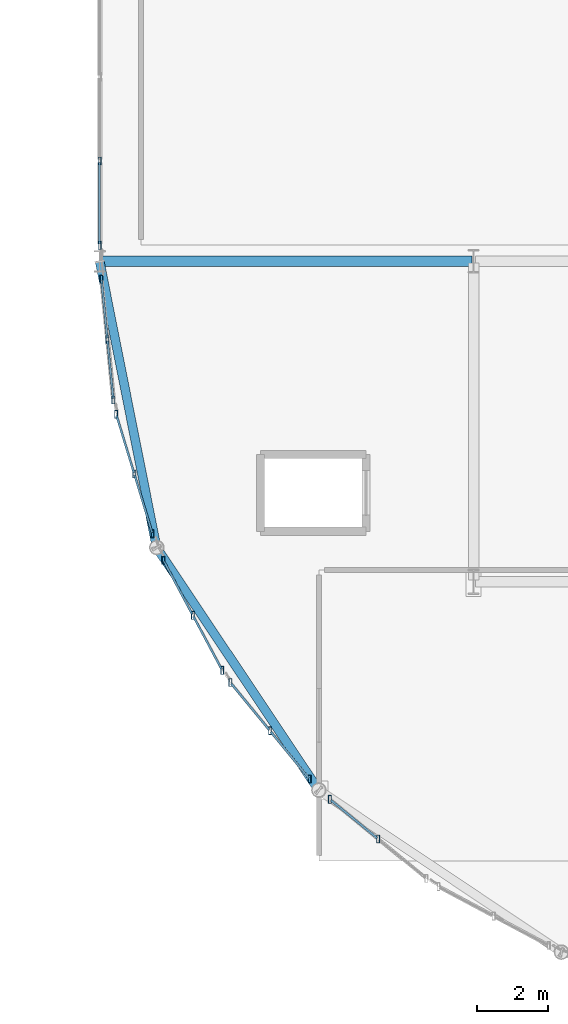
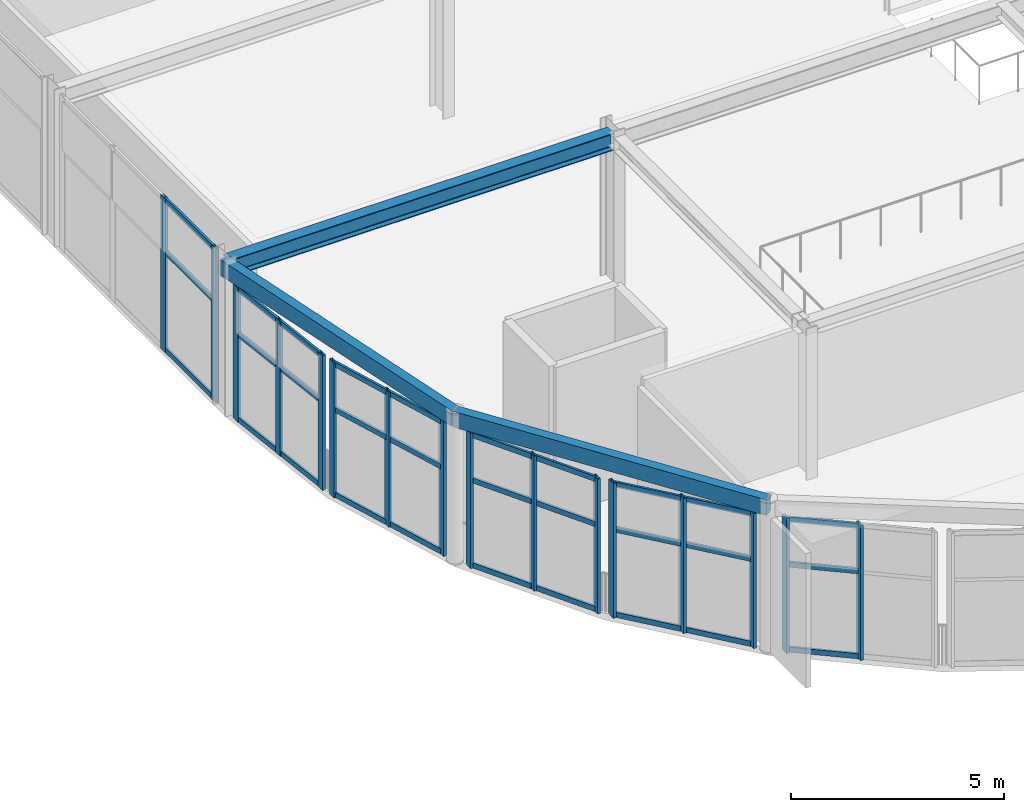
# One storey, part 15 of 105: 46 members, 3 beams, 6 elements without a shape of their own.
"""IFC4 building model written with IfcOpenShell, lengths in metres."""

import ifcopenshell
import ifcopenshell.guid

model = None  # the IFC model being written
_history = None  # IfcOwnerHistory: only IFC2X3 demands one
_inside = {}  # id of a spatial element -> (the spatial element, [elements in it])
_under = {}  # id of a project, library or spatial element -> (it, [spatial elements below it])
_declared = {}  # id of a project -> (the project, [libraries it declares])
_typed = {}  # id of a type object -> (the type object, [elements of that type])
_made_of = {}  # id of a material, layer set ... -> (it, [elements and type objects made of it])


def new_model(schema):
    """Start an empty IFC model of exactly this schema.

    Asked for "IFC4X3", IfcOpenShell would pick the latest addendum, in which some entities
    have other attributes; the version numbers below select the first issue.
    IFC2X3 requires an IfcOwnerHistory on every rooted entity: one is made here for all.
    """
    global model, _history
    if schema == "IFC4X3":
        model = ifcopenshell.file(schema_version=(4, 3, 0, 0))
    else:
        model = ifcopenshell.file(schema=schema)
    _inside.clear()
    _under.clear()
    _declared.clear()
    _typed.clear()
    _made_of.clear()
    _history = None
    if model.schema == "IFC2X3":
        org = make("IfcOrganization", Name="unknown")
        user = make(
            "IfcPersonAndOrganization",
            ThePerson=make("IfcPerson", FamilyName="unknown"),
            TheOrganization=org,
        )
        app = make(
            "IfcApplication",
            ApplicationDeveloper=org,
            Version="unknown",
            ApplicationFullName="unknown",
            ApplicationIdentifier="unknown",
        )
        _history = make(
            "IfcOwnerHistory",
            OwningUser=user,
            OwningApplication=app,
            ChangeAction="ADDED",
            CreationDate=0,
        )
    return model


def make(cls, **values):
    """One entity of the class cls with the attributes given. An attribute that is None is left unset."""
    return model.create_entity(
        cls, **{name: value for name, value in values.items() if value is not None}
    )


def rooted(cls, **values):
    """An entity with a GlobalId (a new one), such as an element, a storey or a relation."""
    return make(cls, GlobalId=ifcopenshell.guid.new(), OwnerHistory=_history, **values)


def si_unit(unit_type, name, prefix=None):
    """IfcSIUnit, for example si_unit("LENGTHUNIT", "METRE", prefix="MILLI")."""
    return make("IfcSIUnit", UnitType=unit_type, Prefix=prefix, Name=name)


def assignment(units):
    """IfcUnitAssignment: the units of a project."""
    return None if units is None else make("IfcUnitAssignment", Units=units)


def point(xyz):
    """IfcCartesianPoint."""
    return None if xyz is None else make("IfcCartesianPoint", Coordinates=xyz)


def direction(xyz):
    """IfcDirection."""
    return None if xyz is None else make("IfcDirection", DirectionRatios=xyz)


def frame(location, z_axis=None, x_axis=None):
    """IfcAxis2Placement3D, a coordinate frame: its origin and axes. An axis left out is left unset."""
    return make(
        "IfcAxis2Placement3D",
        Location=point(location),
        Axis=direction(z_axis),
        RefDirection=direction(x_axis),
    )


def frame_2d(location, x_axis=None):
    """IfcAxis2Placement2D, a coordinate frame in the plane: its origin and x axis."""
    return make(
        "IfcAxis2Placement2D", Location=point(location), RefDirection=direction(x_axis)
    )


def origin():
    """The frame at (0, 0, 0) with its axes left unset."""
    return frame((0.0, 0.0, 0.0))


def origin_2d():
    """The frame at (0, 0) in the plane with its x axis left unset."""
    return frame_2d((0.0, 0.0))


def place(relative_to, where):
    """IfcLocalPlacement: puts the frame where relative to a parent placement (None: the world)."""
    return make(
        "IfcLocalPlacement", PlacementRelTo=relative_to, RelativePlacement=where
    )


def context(
    kind, dimensions, precision=None, world=None, true_north=None, identifier=None
):
    """IfcGeometricRepresentationContext, for example the 3D "Model" context."""
    return make(
        "IfcGeometricRepresentationContext",
        ContextIdentifier=identifier,
        ContextType=kind,
        CoordinateSpaceDimension=dimensions,
        Precision=precision,
        WorldCoordinateSystem=world,
        TrueNorth=true_north,
    )


def subcontext(parent, identifier, kind, view, scale=None):
    """IfcGeometricRepresentationSubContext, for example "Body" below "Model"."""
    return make(
        "IfcGeometricRepresentationSubContext",
        ContextIdentifier=identifier,
        ContextType=kind,
        ParentContext=parent,
        TargetScale=scale,
        TargetView=view,
    )


def project(units=None, contexts=None):
    """IfcProject with its units and contexts."""
    return rooted(
        "IfcProject",
        Name="project",
        RepresentationContexts=contexts,
        UnitsInContext=assignment(units),
    )


def spatial(cls, under=None, at=None, **own):
    """A site, building, storey or space (cls), placed at a placement, below another one or the project."""
    s = rooted(cls, ObjectPlacement=at, **own)
    if under is not None:
        _under.setdefault(under.id(), (under, []))[1].append(s)
    return s


def profile(cls, at=None, kind="AREA", **sizes):
    """A parametric profile (cls). Its sizes go by their IFC names, for example OverallWidth=200.0."""
    return make(cls, ProfileType=kind, Position=at, **sizes)


def hollow_rectangle(**sizes):
    """IfcRectangleHollowProfileDef."""
    return profile("IfcRectangleHollowProfileDef", **sizes)


def i_section(**sizes):
    """IfcIShapeProfileDef."""
    return profile("IfcIShapeProfileDef", **sizes)


def extrude(swept, where, along, depth):
    """IfcExtrudedAreaSolid: the profile swept, set in the frame where, extruded along a direction by depth."""
    return make(
        "IfcExtrudedAreaSolid",
        SweptArea=swept,
        Position=where,
        ExtrudedDirection=direction(along),
        Depth=depth,
    )


def shape(context_of_items, identifier, shape_type, items):
    """IfcShapeRepresentation: the items that make up one representation, for example the "Body"."""
    return make(
        "IfcShapeRepresentation",
        ContextOfItems=context_of_items,
        RepresentationIdentifier=identifier,
        RepresentationType=shape_type,
        Items=items,
    )


def material(Name=None, Category=None):
    """IfcMaterial."""
    return make("IfcMaterial", Name=Name, Category=Category)


def layer(
    of_material, thickness, ventilated=None, Name=None, Category=None, Priority=None
):
    """IfcMaterialLayer: one layer of a wall or slab, of a material (None: an air gap)."""
    return make(
        "IfcMaterialLayer",
        Material=of_material,
        LayerThickness=thickness,
        IsVentilated=ventilated,
        Name=Name,
        Category=Category,
        Priority=Priority,
    )


def layer_set(layers, Name=None):
    """IfcMaterialLayerSet."""
    return make("IfcMaterialLayerSet", MaterialLayers=layers, LayerSetName=Name)


def material_profile(
    of_material, cross_section, Name=None, Category=None, Priority=None
):
    """IfcMaterialProfile: a cross section and its material."""
    return make(
        "IfcMaterialProfile",
        Name=Name,
        Material=of_material,
        Profile=cross_section,
        Priority=Priority,
        Category=Category,
    )


def profile_set(profiles, Name=None, composite=None):
    """IfcMaterialProfileSet."""
    return make(
        "IfcMaterialProfileSet",
        Name=Name,
        MaterialProfiles=profiles,
        CompositeProfile=composite,
    )


def made_of(thing, what):
    """Note that an element or type object is made of a material, layer set ...; save() writes the relation."""
    if what is not None:
        _made_of.setdefault(what.id(), (what, []))[1].append(thing)
    return thing


def type_object(cls, material=None, **own):
    """A type object (cls), such as IfcWallType, which elements share."""
    return made_of(rooted(cls, **own), material)


def element(
    cls,
    number,
    at=None,
    inside=None,
    cuts=None,
    type_object=None,
    material=None,
    context=None,
    identifier="Body",
    shape_type=None,
    held_by="IfcProductDefinitionShape",
    body=None,
    shapes=None,
    **own,
):
    """One element of the class cls, such as IfcWall. Its Tag is "e" and its number.

    at: its placement. inside: the storey or other place that contains it. cuts: it is an
    opening in that element (IfcRelVoidsElement). A single representation is given by context,
    identifier, shape_type and body (its items); several are given by shapes. held_by: the class
    of the entity that holds the representations. save() writes the other relations.
    """
    e = rooted(cls, Tag="e%d" % number, ObjectPlacement=at, **own)
    if body is not None:
        shapes = [shape(context, identifier, shape_type, body)]
    if shapes is not None:
        e.Representation = make(held_by, Representations=shapes)
    if inside is not None:
        _inside.setdefault(inside.id(), (inside, []))[1].append(e)
    if cuts is not None:
        rooted(
            "IfcRelVoidsElement", RelatingBuildingElement=cuts, RelatedOpeningElement=e
        )
    if type_object is not None:
        _typed.setdefault(type_object.id(), (type_object, []))[1].append(e)
    return made_of(e, material)


def aggregate(whole, parts):
    """IfcRelAggregates: a whole, such as a stair, and the parts it consists of."""
    return rooted("IfcRelAggregates", RelatingObject=whole, RelatedObjects=parts)


def save(model, path):
    """Write the relations noted so far, then the file.

    IfcRelAggregates (storeys below a building ...), IfcRelContainedInSpatialStructure (elements
    in a storey), IfcRelDefinesByType, IfcRelAssociatesMaterial and IfcRelDeclares: one each for
    every whole, place, type object, material and project.
    """
    for whole, parts in _under.values():
        aggregate(whole, parts)
    for where, things in _inside.values():
        rooted(
            "IfcRelContainedInSpatialStructure",
            RelatedElements=things,
            RelatingStructure=where,
        )
    for kind, things in _typed.values():
        rooted("IfcRelDefinesByType", RelatedObjects=things, RelatingType=kind)
    for what, things in _made_of.values():
        rooted("IfcRelAssociatesMaterial", RelatedObjects=things, RelatingMaterial=what)
    for by, libraries in _declared.values():
        rooted("IfcRelDeclares", RelatingContext=by, RelatedDefinitions=libraries)
    model.write(path)


model = new_model("IFC4")

# Units and contexts
model_context = context("Model", 3, precision=1e-05, world=origin(), true_north=direction((0.0, 1.0)))
body_context = subcontext(model_context, "Body", "Model", "MODEL_VIEW")
ifc_project = project(units=[si_unit("LENGTHUNIT", "METRE"), si_unit("AREAUNIT", "SQUARE_METRE"), si_unit("VOLUMEUNIT", "CUBIC_METRE"), si_unit("PLANEANGLEUNIT", "RADIAN"), si_unit("MASSUNIT", "GRAM", prefix="KILO")], contexts=[model_context])

# Site, building, storey
site_placement = place(None, origin())
site = spatial("IfcSite", under=ifc_project, at=site_placement, CompositionType="ELEMENT")
building_placement = place(site_placement, origin())
building = spatial("IfcBuilding", under=site, at=building_placement, Name="Marlcrest Central Station", CompositionType="ELEMENT")
storey_placement = place(building_placement, frame((0.0, 0.0, 15.0)))
storey = spatial("IfcBuildingStorey", under=building, at=storey_placement, Name="L03", CompositionType="ELEMENT", Elevation=15.0)

# Beam
ifc_material_1 = material(Name="Steel S355", Category="steel")
ifc_material_profile_1 = material_profile(ifc_material_1, i_section(OverallWidth=0.300048828125, OverallDepth=0.489990234375, WebThickness=0.011962890625, FlangeThickness=0.02294921875, FilletRadius=0.027099609375, at=origin_2d()), Name="HEA 500")
ifc_profile_set_1 = profile_set([ifc_material_profile_1], Name="Steel S355")
beam_type_1 = type_object("IfcBeamType", Name="BM-10", PredefinedType="BEAM", material=ifc_profile_set_1)
beam_1_placement = place(storey_placement, frame((87.050048828125, 22.5, 4.074951171875), z_axis=(1.0, 0.0, 0.0), x_axis=(0.0, 1.0, 0.0)))
element("IfcBeam", 1, at=beam_1_placement, inside=storey, type_object=beam_type_1, Name="bm-BM-10-L03-01167", PredefinedType="BEAM", context=body_context, shape_type="SweptSolid", body=[
    extrude(i_section(OverallWidth=0.300048828125, OverallDepth=0.489990234375, WebThickness=0.011962890625, FlangeThickness=0.02294921875, FilletRadius=0.027099609375, at=origin_2d()), origin(), (0.0, 0.0, 1.0), 10.39990234375),
])

# Curtain wall, members
ifc_material_2 = material(Name="Anodised aluminium and hurricane laminated glass", Category="aluminium")
ifc_layer = layer(ifc_material_2, 0.219970703125, Name="CW-U1")
ifc_layer_set = layer_set([ifc_layer], Name="Anodised aluminium and hurricane laminated glass")
curtain_wall_type = type_object("IfcCurtainWallType", Name="CW-U1", PredefinedType="USERDEFINED", material=ifc_layer_set)
curtain_wall_1_placement = place(storey_placement, origin())
curtain_wall_1 = element("IfcCurtainWall", 2, at=curtain_wall_1_placement, inside=storey, type_object=curtain_wall_type, Name="cw-L03-0041", ObjectType="UNITISED_CURTAIN_WALL", PredefinedType="USERDEFINED")
ifc_material_3 = material(Name="Anodised aluminium 6063-T6", Category="aluminium")
ifc_material_profile_2 = material_profile(ifc_material_3, hollow_rectangle(XDim=0.080078125, YDim=0.219970703125, WallThickness=0.006103515625, at=origin_2d()), Name="AA-RHS 220x80x6")
ifc_profile_set_2 = profile_set([ifc_material_profile_2], Name="Anodised aluminium 6063-T6")
member_type_1 = type_object("IfcMemberType", Name="ML-01", PredefinedType="MULLION", material=ifc_profile_set_2)
member_1_placement = place(storey_placement, frame((87.3837890625, 18.60791015625, -0.030029296875), z_axis=(0.0, 0.0, 1.0), x_axis=(1.0, 0.0, 0.0)))
member_1 = element("IfcMember", 3, at=member_1_placement, type_object=member_type_1, Name="cw-L03-0041-ml-0", PredefinedType="MULLION", context=body_context, shape_type="SweptSolid", body=[
    extrude(hollow_rectangle(XDim=0.080078125, YDim=0.219970703125, WallThickness=0.006103515625, at=origin_2d()), origin(), (0.0, 0.0, 1.0), 3.860107421875),
])
member_2_placement = place(storey_placement, frame((87.216552734375, 20.3046875, -0.030029296875), z_axis=(0.0, 0.0, 1.0), x_axis=(1.0, 0.0, 0.0)))
member_2 = element("IfcMember", 4, at=member_2_placement, type_object=member_type_1, Name="cw-L03-0041-ml-1", PredefinedType="MULLION", context=body_context, shape_type="SweptSolid", body=[
    extrude(hollow_rectangle(XDim=0.080078125, YDim=0.219970703125, WallThickness=0.006103515625, at=origin_2d()), origin(), (0.0, 0.0, 1.0), 3.860107421875),
])
member_3_placement = place(storey_placement, frame((87.049072265625, 22.001708984375, -0.030029296875), z_axis=(0.0, 0.0, 1.0), x_axis=(1.0, 0.0, 0.0)))
member_3 = element("IfcMember", 5, at=member_3_placement, type_object=member_type_1, Name="cw-L03-0041-ml-2", PredefinedType="MULLION", context=body_context, shape_type="SweptSolid", body=[
    extrude(hollow_rectangle(XDim=0.080078125, YDim=0.219970703125, WallThickness=0.006103515625, at=origin_2d()), origin(), (0.0, 0.0, 1.0), 3.860107421875),
])

curtain_wall_2_placement = place(storey_placement, origin())
curtain_wall_2 = element("IfcCurtainWall", 6, at=curtain_wall_2_placement, inside=storey, type_object=curtain_wall_type, Name="cw-L03-0042", ObjectType="UNITISED_CURTAIN_WALL", PredefinedType="USERDEFINED")
member_4_placement = place(storey_placement, frame((88.481689453125, 14.8505859375, -0.030029296875), z_axis=(0.0, 0.0, 1.0), x_axis=(1.0, 0.0, 0.0)))
member_4 = element("IfcMember", 7, at=member_4_placement, type_object=member_type_1, Name="cw-L03-0042-ml-0", PredefinedType="MULLION", context=body_context, shape_type="SweptSolid", body=[
    extrude(hollow_rectangle(XDim=0.080078125, YDim=0.219970703125, WallThickness=0.006103515625, at=origin_2d()), origin(), (0.0, 0.0, 1.0), 3.860107421875),
])
member_5_placement = place(storey_placement, frame((87.97265625, 16.5283203125, -0.030029296875), z_axis=(0.0, 0.0, 1.0), x_axis=(1.0, 0.0, 0.0)))
member_5 = element("IfcMember", 8, at=member_5_placement, type_object=member_type_1, Name="cw-L03-0042-ml-1", PredefinedType="MULLION", context=body_context, shape_type="SweptSolid", body=[
    extrude(hollow_rectangle(XDim=0.080078125, YDim=0.219970703125, WallThickness=0.006103515625, at=origin_2d()), origin(), (0.0, 0.0, 1.0), 3.860107421875),
])
member_6_placement = place(storey_placement, frame((87.463623046875, 18.2060546875, -0.030029296875), z_axis=(0.0, 0.0, 1.0), x_axis=(1.0, 0.0, 0.0)))
member_6 = element("IfcMember", 9, at=member_6_placement, type_object=member_type_1, Name="cw-L03-0042-ml-2", PredefinedType="MULLION", context=body_context, shape_type="SweptSolid", body=[
    extrude(hollow_rectangle(XDim=0.080078125, YDim=0.219970703125, WallThickness=0.006103515625, at=origin_2d()), origin(), (0.0, 0.0, 1.0), 3.860107421875),
])

curtain_wall_3_placement = place(storey_placement, origin())
curtain_wall_3 = element("IfcCurtainWall", 10, at=curtain_wall_3_placement, inside=storey, type_object=curtain_wall_type, Name="cw-L03-0043", ObjectType="UNITISED_CURTAIN_WALL", PredefinedType="USERDEFINED")
member_7_placement = place(storey_placement, frame((90.44189453125, 11.014404296875, -0.030029296875), z_axis=(0.0, 0.0, 1.0), x_axis=(1.0, 0.0, 0.0)))
member_7 = element("IfcMember", 11, at=member_7_placement, type_object=member_type_1, Name="cw-L03-0043-ml-0", PredefinedType="MULLION", context=body_context, shape_type="SweptSolid", body=[
    extrude(hollow_rectangle(XDim=0.080078125, YDim=0.219970703125, WallThickness=0.006103515625, at=origin_2d()), origin(), (0.0, 0.0, 1.0), 3.860107421875),
])
member_8_placement = place(storey_placement, frame((89.61572265625, 12.56103515625, -0.030029296875), z_axis=(0.0, 0.0, 1.0), x_axis=(1.0, 0.0, 0.0)))
member_8 = element("IfcMember", 12, at=member_8_placement, type_object=member_type_1, Name="cw-L03-0043-ml-1", PredefinedType="MULLION", context=body_context, shape_type="SweptSolid", body=[
    extrude(hollow_rectangle(XDim=0.080078125, YDim=0.219970703125, WallThickness=0.006103515625, at=origin_2d()), origin(), (0.0, 0.0, 1.0), 3.860107421875),
])
member_9_placement = place(storey_placement, frame((88.789306640625, 14.107666015625, -0.030029296875), z_axis=(0.0, 0.0, 1.0), x_axis=(1.0, 0.0, 0.0)))
member_9 = element("IfcMember", 13, at=member_9_placement, type_object=member_type_1, Name="cw-L03-0043-ml-2", PredefinedType="MULLION", context=body_context, shape_type="SweptSolid", body=[
    extrude(hollow_rectangle(XDim=0.080078125, YDim=0.219970703125, WallThickness=0.006103515625, at=origin_2d()), origin(), (0.0, 0.0, 1.0), 3.860107421875),
])

curtain_wall_4_placement = place(storey_placement, origin())
curtain_wall_4 = element("IfcCurtainWall", 14, at=curtain_wall_4_placement, inside=storey, type_object=curtain_wall_type, Name="cw-L03-0044", ObjectType="UNITISED_CURTAIN_WALL", PredefinedType="USERDEFINED")
member_10_placement = place(storey_placement, frame((92.89453125, 7.96337890625, -0.030029296875), z_axis=(0.0, 0.0, 1.0), x_axis=(1.0, 0.0, 0.0)))
member_10 = element("IfcMember", 15, at=member_10_placement, type_object=member_type_1, Name="cw-L03-0044-ml-0", PredefinedType="MULLION", context=body_context, shape_type="SweptSolid", body=[
    extrude(hollow_rectangle(XDim=0.080078125, YDim=0.219970703125, WallThickness=0.006103515625, at=origin_2d()), origin(), (0.0, 0.0, 1.0), 3.860107421875),
])
member_11_placement = place(storey_placement, frame((91.781982421875, 9.318603515625, -0.030029296875), z_axis=(0.0, 0.0, 1.0), x_axis=(1.0, 0.0, 0.0)))
member_11 = element("IfcMember", 16, at=member_11_placement, type_object=member_type_1, Name="cw-L03-0044-ml-1", PredefinedType="MULLION", context=body_context, shape_type="SweptSolid", body=[
    extrude(hollow_rectangle(XDim=0.080078125, YDim=0.219970703125, WallThickness=0.006103515625, at=origin_2d()), origin(), (0.0, 0.0, 1.0), 3.860107421875),
])
member_12_placement = place(storey_placement, frame((90.669677734375, 10.673828125, -0.030029296875), z_axis=(0.0, 0.0, 1.0), x_axis=(1.0, 0.0, 0.0)))
member_12 = element("IfcMember", 17, at=member_12_placement, type_object=member_type_1, Name="cw-L03-0044-ml-2", PredefinedType="MULLION", context=body_context, shape_type="SweptSolid", body=[
    extrude(hollow_rectangle(XDim=0.080078125, YDim=0.219970703125, WallThickness=0.006103515625, at=origin_2d()), origin(), (0.0, 0.0, 1.0), 3.860107421875),
])

curtain_wall_5_placement = place(storey_placement, origin())
curtain_wall_5 = element("IfcCurtainWall", 18, at=curtain_wall_5_placement, inside=storey, type_object=curtain_wall_type, Name="cw-L03-0045", ObjectType="UNITISED_CURTAIN_WALL", PredefinedType="USERDEFINED")
member_13_placement = place(storey_placement, frame((94.818603515625, 6.281982421875, -0.030029296875), z_axis=(0.0, 0.0, 1.0), x_axis=(1.0, 0.0, 0.0)))
member_13 = element("IfcMember", 19, at=member_13_placement, type_object=member_type_1, Name="cw-L03-0045-ml-1", PredefinedType="MULLION", context=body_context, shape_type="SweptSolid", body=[
    extrude(hollow_rectangle(XDim=0.080078125, YDim=0.219970703125, WallThickness=0.006103515625, at=origin_2d()), origin(), (0.0, 0.0, 1.0), 3.860107421875),
])
member_14_placement = place(storey_placement, frame((93.46337890625, 7.39453125, -0.030029296875), z_axis=(0.0, 0.0, 1.0), x_axis=(1.0, 0.0, 0.0)))
member_14 = element("IfcMember", 20, at=member_14_placement, type_object=member_type_1, Name="cw-L03-0045-ml-2", PredefinedType="MULLION", context=body_context, shape_type="SweptSolid", body=[
    extrude(hollow_rectangle(XDim=0.080078125, YDim=0.219970703125, WallThickness=0.006103515625, at=origin_2d()), origin(), (0.0, 0.0, 1.0), 3.860107421875),
])

curtain_wall_6_placement = place(storey_placement, origin())
curtain_wall_6 = element("IfcCurtainWall", 21, at=curtain_wall_6_placement, inside=storey, type_object=curtain_wall_type, Name="cw-L03-0101", ObjectType="UNITISED_CURTAIN_WALL", PredefinedType="USERDEFINED")
member_15_placement = place(storey_placement, frame((87.0, 22.949951171875, -0.030029296875), z_axis=(0.0, 0.0, 1.0), x_axis=(1.0, 0.0, 0.0)))
member_15 = element("IfcMember", 22, at=member_15_placement, type_object=member_type_1, Name="cw-L03-0101-ml-0", PredefinedType="MULLION", context=body_context, shape_type="SweptSolid", body=[
    extrude(hollow_rectangle(XDim=0.080078125, YDim=0.219970703125, WallThickness=0.006103515625, at=origin_2d()), origin(), (0.0, 0.0, 1.0), 4.409912109375),
])
member_16_placement = place(storey_placement, frame((87.0, 25.316650390625, -0.030029296875), z_axis=(0.0, 0.0, 1.0), x_axis=(1.0, 0.0, 0.0)))
member_16 = element("IfcMember", 23, at=member_16_placement, type_object=member_type_1, Name="cw-L03-0101-ml-1", PredefinedType="MULLION", context=body_context, shape_type="SweptSolid", body=[
    extrude(hollow_rectangle(XDim=0.080078125, YDim=0.219970703125, WallThickness=0.006103515625, at=origin_2d()), origin(), (0.0, 0.0, 1.0), 4.409912109375),
])

# Beams
ifc_material_profile_3 = material_profile(ifc_material_1, hollow_rectangle(XDim=0.25, YDim=0.449951171875, WallThickness=0.01611328125, at=origin_2d()), Name="RHS 450x250x16")
ifc_profile_set_3 = profile_set([ifc_material_profile_3], Name="Steel S355")
beam_type_2 = type_object("IfcBeamType", Name="SP-02", PredefinedType="SPANDREL", material=ifc_profile_set_3)
beam_2_placement = place(storey_placement, frame((87.0, 22.5, 4.10009765625), z_axis=(0.19517056122, -0.980769316421, 0.0), x_axis=(0.980769316421, 0.19517056122, 0.0)))
element("IfcBeam", 24, at=beam_2_placement, inside=storey, type_object=beam_type_2, Name="bm-SP-02-L03-01405", PredefinedType="SPANDREL", context=body_context, shape_type="SweptSolid", body=[
    extrude(hollow_rectangle(XDim=0.25, YDim=0.449951171875, WallThickness=0.01611328125, at=origin_2d()), origin(), (0.0, 0.0, 1.0), 8.193359375),
])
beam_3_placement = place(storey_placement, frame((88.59912109375, 14.464111328125, 4.10009765625), z_axis=(0.55551129271, -0.831508991937, 0.0), x_axis=(0.831508991937, 0.55551129271, 0.0)))
element("IfcBeam", 25, at=beam_3_placement, inside=storey, type_object=beam_type_2, Name="bm-SP-02-L03-01406", PredefinedType="SPANDREL", context=body_context, shape_type="SweptSolid", body=[
    extrude(hollow_rectangle(XDim=0.25, YDim=0.449951171875, WallThickness=0.01611328125, at=origin_2d()), origin(), (0.0, 0.0, 1.0), 8.19384765625),
])

# Member
ifc_material_profile_4 = material_profile(ifc_material_3, hollow_rectangle(XDim=0.06005859375, YDim=0.14990234375, WallThickness=0.00390625, at=origin_2d()), Name="AA-RHS 150x60x4")
ifc_profile_set_4 = profile_set([ifc_material_profile_4], Name="Anodised aluminium 6063-T6")
member_type_2 = type_object("IfcMemberType", Name="TR-01", PredefinedType="USERDEFINED", material=ifc_profile_set_4)
member_17_placement = place(storey_placement, frame((87.380126953125, 18.645751953125, 0.0400390625), z_axis=(-0.0981681098, 0.995169845915, 0.0), x_axis=(-0.995169845915, -0.0981681098, 0.0)))
member_17 = element("IfcMember", 26, at=member_17_placement, type_object=member_type_2, Name="cw-L03-0041-tr-0-sill", ObjectType="TRANSOM", PredefinedType="USERDEFINED", context=body_context, shape_type="SweptSolid", body=[
    extrude(hollow_rectangle(XDim=0.06005859375, YDim=0.14990234375, WallThickness=0.00390625, at=origin_2d()), origin(), (0.0, 0.0, 1.0), 1.62890625),
])

member_18_placement = place(storey_placement, frame((87.380126953125, 18.645751953125, 2.469970703125), z_axis=(-0.0981681098, 0.995169845915, 0.0), x_axis=(-0.995169845915, -0.0981681098, 0.0)))
member_18 = element("IfcMember", 27, at=member_18_placement, type_object=member_type_2, Name="cw-L03-0041-tr-0-mid", ObjectType="TRANSOM", PredefinedType="USERDEFINED", context=body_context, shape_type="SweptSolid", body=[
    extrude(hollow_rectangle(XDim=0.06005859375, YDim=0.14990234375, WallThickness=0.00390625, at=origin_2d()), origin(), (0.0, 0.0, 1.0), 1.62890625),
])

member_19_placement = place(storey_placement, frame((87.380126953125, 18.645751953125, 3.760009765625), z_axis=(-0.0981681098, 0.995169845915, 0.0), x_axis=(-0.995169845915, -0.0981681098, 0.0)))
member_19 = element("IfcMember", 28, at=member_19_placement, type_object=member_type_2, Name="cw-L03-0041-tr-0-head", ObjectType="TRANSOM", PredefinedType="USERDEFINED", context=body_context, shape_type="SweptSolid", body=[
    extrude(hollow_rectangle(XDim=0.06005859375, YDim=0.14990234375, WallThickness=0.00390625, at=origin_2d()), origin(), (0.0, 0.0, 1.0), 1.62890625),
])

member_20_placement = place(storey_placement, frame((87.212646484375, 20.342529296875, 0.0400390625), z_axis=(-0.098005057893, 0.995185916614, 0.0), x_axis=(-0.995185916614, -0.098005057893, 0.0)))
member_20 = element("IfcMember", 29, at=member_20_placement, type_object=member_type_2, Name="cw-L03-0041-tr-1-sill", ObjectType="TRANSOM", PredefinedType="USERDEFINED", context=body_context, shape_type="SweptSolid", body=[
    extrude(hollow_rectangle(XDim=0.06005859375, YDim=0.14990234375, WallThickness=0.00390625, at=origin_2d()), origin(), (0.0, 0.0, 1.0), 1.629150390625),
])

member_21_placement = place(storey_placement, frame((87.212646484375, 20.342529296875, 2.469970703125), z_axis=(-0.098005057893, 0.995185916614, 0.0), x_axis=(-0.995185916614, -0.098005057893, 0.0)))
member_21 = element("IfcMember", 30, at=member_21_placement, type_object=member_type_2, Name="cw-L03-0041-tr-1-mid", ObjectType="TRANSOM", PredefinedType="USERDEFINED", context=body_context, shape_type="SweptSolid", body=[
    extrude(hollow_rectangle(XDim=0.06005859375, YDim=0.14990234375, WallThickness=0.00390625, at=origin_2d()), origin(), (0.0, 0.0, 1.0), 1.629150390625),
])

member_22_placement = place(storey_placement, frame((87.212646484375, 20.342529296875, 3.760009765625), z_axis=(-0.098005057893, 0.995185916614, 0.0), x_axis=(-0.995185916614, -0.098005057893, 0.0)))
member_22 = element("IfcMember", 31, at=member_22_placement, type_object=member_type_2, Name="cw-L03-0041-tr-1-head", ObjectType="TRANSOM", PredefinedType="USERDEFINED", context=body_context, shape_type="SweptSolid", body=[
    extrude(hollow_rectangle(XDim=0.06005859375, YDim=0.14990234375, WallThickness=0.00390625, at=origin_2d()), origin(), (0.0, 0.0, 1.0), 1.629150390625),
])

aggregate(curtain_wall_1, [member_1, member_2, member_3, member_17, member_18, member_19, member_20, member_21, member_22])

member_23_placement = place(storey_placement, frame((88.470703125, 14.886962890625, 0.0400390625), z_axis=(-0.29025787087, 0.95694846695, 0.0), x_axis=(-0.95694846695, -0.29025787087, 0.0)))
member_23 = element("IfcMember", 32, at=member_23_placement, type_object=member_type_2, Name="cw-L03-0042-tr-0-sill", ObjectType="TRANSOM", PredefinedType="USERDEFINED", context=body_context, shape_type="SweptSolid", body=[
    extrude(hollow_rectangle(XDim=0.06005859375, YDim=0.14990234375, WallThickness=0.00390625, at=origin_2d()), origin(), (0.0, 0.0, 1.0), 1.67724609375),
])

member_24_placement = place(storey_placement, frame((88.470703125, 14.886962890625, 2.469970703125), z_axis=(-0.29025787087, 0.95694846695, 0.0), x_axis=(-0.95694846695, -0.29025787087, 0.0)))
member_24 = element("IfcMember", 33, at=member_24_placement, type_object=member_type_2, Name="cw-L03-0042-tr-0-mid", ObjectType="TRANSOM", PredefinedType="USERDEFINED", context=body_context, shape_type="SweptSolid", body=[
    extrude(hollow_rectangle(XDim=0.06005859375, YDim=0.14990234375, WallThickness=0.00390625, at=origin_2d()), origin(), (0.0, 0.0, 1.0), 1.67724609375),
])

member_25_placement = place(storey_placement, frame((88.470703125, 14.886962890625, 3.760009765625), z_axis=(-0.29025787087, 0.95694846695, 0.0), x_axis=(-0.95694846695, -0.29025787087, 0.0)))
member_25 = element("IfcMember", 34, at=member_25_placement, type_object=member_type_2, Name="cw-L03-0042-tr-0-head", ObjectType="TRANSOM", PredefinedType="USERDEFINED", context=body_context, shape_type="SweptSolid", body=[
    extrude(hollow_rectangle(XDim=0.06005859375, YDim=0.14990234375, WallThickness=0.00390625, at=origin_2d()), origin(), (0.0, 0.0, 1.0), 1.67724609375),
])

member_26_placement = place(storey_placement, frame((87.961669921875, 16.564697265625, 0.0400390625), z_axis=(-0.29025787087, 0.95694846695, 0.0), x_axis=(-0.95694846695, -0.29025787087, 0.0)))
member_26 = element("IfcMember", 35, at=member_26_placement, type_object=member_type_2, Name="cw-L03-0042-tr-1-sill", ObjectType="TRANSOM", PredefinedType="USERDEFINED", context=body_context, shape_type="SweptSolid", body=[
    extrude(hollow_rectangle(XDim=0.06005859375, YDim=0.14990234375, WallThickness=0.00390625, at=origin_2d()), origin(), (0.0, 0.0, 1.0), 1.67724609375),
])

member_27_placement = place(storey_placement, frame((87.961669921875, 16.564697265625, 2.469970703125), z_axis=(-0.29025787087, 0.95694846695, 0.0), x_axis=(-0.95694846695, -0.29025787087, 0.0)))
member_27 = element("IfcMember", 36, at=member_27_placement, type_object=member_type_2, Name="cw-L03-0042-tr-1-mid", ObjectType="TRANSOM", PredefinedType="USERDEFINED", context=body_context, shape_type="SweptSolid", body=[
    extrude(hollow_rectangle(XDim=0.06005859375, YDim=0.14990234375, WallThickness=0.00390625, at=origin_2d()), origin(), (0.0, 0.0, 1.0), 1.67724609375),
])

member_28_placement = place(storey_placement, frame((87.961669921875, 16.564697265625, 3.760009765625), z_axis=(-0.29025787087, 0.95694846695, 0.0), x_axis=(-0.95694846695, -0.29025787087, 0.0)))
member_28 = element("IfcMember", 37, at=member_28_placement, type_object=member_type_2, Name="cw-L03-0042-tr-1-head", ObjectType="TRANSOM", PredefinedType="USERDEFINED", context=body_context, shape_type="SweptSolid", body=[
    extrude(hollow_rectangle(XDim=0.06005859375, YDim=0.14990234375, WallThickness=0.00390625, at=origin_2d()), origin(), (0.0, 0.0, 1.0), 1.67724609375),
])

aggregate(curtain_wall_2, [member_4, member_5, member_6, member_23, member_24, member_25, member_26, member_27, member_28])

member_29_placement = place(storey_placement, frame((90.424072265625, 11.048095703125, 0.0400390625), z_axis=(-0.47126796736, 0.881990080976, 0.0), x_axis=(-0.881990080976, -0.47126796736, 0.0)))
member_29 = element("IfcMember", 38, at=member_29_placement, type_object=member_type_2, Name="cw-L03-0043-tr-0-sill", ObjectType="TRANSOM", PredefinedType="USERDEFINED", context=body_context, shape_type="SweptSolid", body=[
    extrude(hollow_rectangle(XDim=0.06005859375, YDim=0.14990234375, WallThickness=0.00390625, at=origin_2d()), origin(), (0.0, 0.0, 1.0), 1.677490234375),
])

member_30_placement = place(storey_placement, frame((90.424072265625, 11.048095703125, 2.469970703125), z_axis=(-0.47126796736, 0.881990080976, 0.0), x_axis=(-0.881990080976, -0.47126796736, 0.0)))
member_30 = element("IfcMember", 39, at=member_30_placement, type_object=member_type_2, Name="cw-L03-0043-tr-0-mid", ObjectType="TRANSOM", PredefinedType="USERDEFINED", context=body_context, shape_type="SweptSolid", body=[
    extrude(hollow_rectangle(XDim=0.06005859375, YDim=0.14990234375, WallThickness=0.00390625, at=origin_2d()), origin(), (0.0, 0.0, 1.0), 1.677490234375),
])

member_31_placement = place(storey_placement, frame((90.424072265625, 11.048095703125, 3.760009765625), z_axis=(-0.47126796736, 0.881990080976, 0.0), x_axis=(-0.881990080976, -0.47126796736, 0.0)))
member_31 = element("IfcMember", 40, at=member_31_placement, type_object=member_type_2, Name="cw-L03-0043-tr-0-head", ObjectType="TRANSOM", PredefinedType="USERDEFINED", context=body_context, shape_type="SweptSolid", body=[
    extrude(hollow_rectangle(XDim=0.06005859375, YDim=0.14990234375, WallThickness=0.00390625, at=origin_2d()), origin(), (0.0, 0.0, 1.0), 1.677490234375),
])

member_32_placement = place(storey_placement, frame((89.597900390625, 12.594482421875, 0.0400390625), z_axis=(-0.471207478568, 0.882022398889, 0.0), x_axis=(-0.882022398889, -0.471207478568, 0.0)))
member_32 = element("IfcMember", 41, at=member_32_placement, type_object=member_type_2, Name="cw-L03-0043-tr-1-sill", ObjectType="TRANSOM", PredefinedType="USERDEFINED", context=body_context, shape_type="SweptSolid", body=[
    extrude(hollow_rectangle(XDim=0.06005859375, YDim=0.14990234375, WallThickness=0.00390625, at=origin_2d()), origin(), (0.0, 0.0, 1.0), 1.677734375),
])

member_33_placement = place(storey_placement, frame((89.597900390625, 12.594482421875, 2.469970703125), z_axis=(-0.471207478568, 0.882022398889, 0.0), x_axis=(-0.882022398889, -0.471207478568, 0.0)))
member_33 = element("IfcMember", 42, at=member_33_placement, type_object=member_type_2, Name="cw-L03-0043-tr-1-mid", ObjectType="TRANSOM", PredefinedType="USERDEFINED", context=body_context, shape_type="SweptSolid", body=[
    extrude(hollow_rectangle(XDim=0.06005859375, YDim=0.14990234375, WallThickness=0.00390625, at=origin_2d()), origin(), (0.0, 0.0, 1.0), 1.677734375),
])

member_34_placement = place(storey_placement, frame((89.597900390625, 12.594482421875, 3.760009765625), z_axis=(-0.471207478568, 0.882022398889, 0.0), x_axis=(-0.882022398889, -0.471207478568, 0.0)))
member_34 = element("IfcMember", 43, at=member_34_placement, type_object=member_type_2, Name="cw-L03-0043-tr-1-head", ObjectType="TRANSOM", PredefinedType="USERDEFINED", context=body_context, shape_type="SweptSolid", body=[
    extrude(hollow_rectangle(XDim=0.06005859375, YDim=0.14990234375, WallThickness=0.00390625, at=origin_2d()), origin(), (0.0, 0.0, 1.0), 1.677734375),
])

aggregate(curtain_wall_3, [member_7, member_8, member_9, member_29, member_30, member_31, member_32, member_33, member_34])

member_35_placement = place(storey_placement, frame((92.87060546875, 7.99267578125, 0.0400390625), z_axis=(-0.634512842936, 0.772912318539, 0.0), x_axis=(-0.772912318539, -0.634512842936, 0.0)))
member_35 = element("IfcMember", 44, at=member_35_placement, type_object=member_type_2, Name="cw-L03-0044-tr-0-sill", ObjectType="TRANSOM", PredefinedType="USERDEFINED", context=body_context, shape_type="SweptSolid", body=[
    extrude(hollow_rectangle(XDim=0.06005859375, YDim=0.14990234375, WallThickness=0.00390625, at=origin_2d()), origin(), (0.0, 0.0, 1.0), 1.677490234375),
])

member_36_placement = place(storey_placement, frame((92.87060546875, 7.99267578125, 2.469970703125), z_axis=(-0.634512842936, 0.772912318539, 0.0), x_axis=(-0.772912318539, -0.634512842936, 0.0)))
member_36 = element("IfcMember", 45, at=member_36_placement, type_object=member_type_2, Name="cw-L03-0044-tr-0-mid", ObjectType="TRANSOM", PredefinedType="USERDEFINED", context=body_context, shape_type="SweptSolid", body=[
    extrude(hollow_rectangle(XDim=0.06005859375, YDim=0.14990234375, WallThickness=0.00390625, at=origin_2d()), origin(), (0.0, 0.0, 1.0), 1.677490234375),
])

member_37_placement = place(storey_placement, frame((92.87060546875, 7.99267578125, 3.760009765625), z_axis=(-0.634512842936, 0.772912318539, 0.0), x_axis=(-0.772912318539, -0.634512842936, 0.0)))
member_37 = element("IfcMember", 46, at=member_37_placement, type_object=member_type_2, Name="cw-L03-0044-tr-0-head", ObjectType="TRANSOM", PredefinedType="USERDEFINED", context=body_context, shape_type="SweptSolid", body=[
    extrude(hollow_rectangle(XDim=0.06005859375, YDim=0.14990234375, WallThickness=0.00390625, at=origin_2d()), origin(), (0.0, 0.0, 1.0), 1.677490234375),
])

member_38_placement = place(storey_placement, frame((91.758056640625, 9.347900390625, 0.0400390625), z_axis=(-0.634512842936, 0.772912318539, 0.0), x_axis=(-0.772912318539, -0.634512842936, 0.0)))
member_38 = element("IfcMember", 47, at=member_38_placement, type_object=member_type_2, Name="cw-L03-0044-tr-1-sill", ObjectType="TRANSOM", PredefinedType="USERDEFINED", context=body_context, shape_type="SweptSolid", body=[
    extrude(hollow_rectangle(XDim=0.06005859375, YDim=0.14990234375, WallThickness=0.00390625, at=origin_2d()), origin(), (0.0, 0.0, 1.0), 1.677490234375),
])

member_39_placement = place(storey_placement, frame((91.758056640625, 9.347900390625, 2.469970703125), z_axis=(-0.634512842936, 0.772912318539, 0.0), x_axis=(-0.772912318539, -0.634512842936, 0.0)))
member_39 = element("IfcMember", 48, at=member_39_placement, type_object=member_type_2, Name="cw-L03-0044-tr-1-mid", ObjectType="TRANSOM", PredefinedType="USERDEFINED", context=body_context, shape_type="SweptSolid", body=[
    extrude(hollow_rectangle(XDim=0.06005859375, YDim=0.14990234375, WallThickness=0.00390625, at=origin_2d()), origin(), (0.0, 0.0, 1.0), 1.677490234375),
])

member_40_placement = place(storey_placement, frame((91.758056640625, 9.347900390625, 3.760009765625), z_axis=(-0.634512842936, 0.772912318539, 0.0), x_axis=(-0.772912318539, -0.634512842936, 0.0)))
member_40 = element("IfcMember", 49, at=member_40_placement, type_object=member_type_2, Name="cw-L03-0044-tr-1-head", ObjectType="TRANSOM", PredefinedType="USERDEFINED", context=body_context, shape_type="SweptSolid", body=[
    extrude(hollow_rectangle(XDim=0.06005859375, YDim=0.14990234375, WallThickness=0.00390625, at=origin_2d()), origin(), (0.0, 0.0, 1.0), 1.677490234375),
])

aggregate(curtain_wall_4, [member_10, member_11, member_12, member_35, member_36, member_37, member_38, member_39, member_40])

member_41_placement = place(storey_placement, frame((94.789306640625, 6.30615234375, 0.0400390625), z_axis=(-0.772912318539, 0.634512842936, 0.0), x_axis=(-0.634512842936, -0.772912318539, 0.0)))
member_41 = element("IfcMember", 50, at=member_41_placement, type_object=member_type_2, Name="cw-L03-0045-tr-1-sill", ObjectType="TRANSOM", PredefinedType="USERDEFINED", context=body_context, shape_type="SweptSolid", body=[
    extrude(hollow_rectangle(XDim=0.06005859375, YDim=0.14990234375, WallThickness=0.00390625, at=origin_2d()), origin(), (0.0, 0.0, 1.0), 1.677490234375),
])

member_42_placement = place(storey_placement, frame((94.789306640625, 6.30615234375, 2.469970703125), z_axis=(-0.772912318539, 0.634512842936, 0.0), x_axis=(-0.634512842936, -0.772912318539, 0.0)))
member_42 = element("IfcMember", 51, at=member_42_placement, type_object=member_type_2, Name="cw-L03-0045-tr-1-mid", ObjectType="TRANSOM", PredefinedType="USERDEFINED", context=body_context, shape_type="SweptSolid", body=[
    extrude(hollow_rectangle(XDim=0.06005859375, YDim=0.14990234375, WallThickness=0.00390625, at=origin_2d()), origin(), (0.0, 0.0, 1.0), 1.677490234375),
])

member_43_placement = place(storey_placement, frame((94.789306640625, 6.30615234375, 3.760009765625), z_axis=(-0.772912318539, 0.634512842936, 0.0), x_axis=(-0.634512842936, -0.772912318539, 0.0)))
member_43 = element("IfcMember", 52, at=member_43_placement, type_object=member_type_2, Name="cw-L03-0045-tr-1-head", ObjectType="TRANSOM", PredefinedType="USERDEFINED", context=body_context, shape_type="SweptSolid", body=[
    extrude(hollow_rectangle(XDim=0.06005859375, YDim=0.14990234375, WallThickness=0.00390625, at=origin_2d()), origin(), (0.0, 0.0, 1.0), 1.677490234375),
])

aggregate(curtain_wall_5, [member_13, member_14, member_41, member_42, member_43])

member_44_placement = place(storey_placement, frame((87.0, 22.988037109375, 0.0400390625), z_axis=(0.0, 1.0, 0.0), x_axis=(-1.0, 0.0, 0.0)))
member_44 = element("IfcMember", 53, at=member_44_placement, type_object=member_type_2, Name="cw-L03-0101-tr-0-sill", ObjectType="TRANSOM", PredefinedType="USERDEFINED", context=body_context, shape_type="SweptSolid", body=[
    extrude(hollow_rectangle(XDim=0.06005859375, YDim=0.14990234375, WallThickness=0.00390625, at=origin_2d()), origin(), (0.0, 0.0, 1.0), 2.290771484375),
])

member_45_placement = place(storey_placement, frame((87.0, 22.988037109375, 2.827880859375), z_axis=(0.0, 1.0, 0.0), x_axis=(-1.0, 0.0, 0.0)))
member_45 = element("IfcMember", 54, at=member_45_placement, type_object=member_type_2, Name="cw-L03-0101-tr-0-mid", ObjectType="TRANSOM", PredefinedType="USERDEFINED", context=body_context, shape_type="SweptSolid", body=[
    extrude(hollow_rectangle(XDim=0.06005859375, YDim=0.14990234375, WallThickness=0.00390625, at=origin_2d()), origin(), (0.0, 0.0, 1.0), 2.290771484375),
])

member_46_placement = place(storey_placement, frame((87.0, 22.988037109375, 4.31005859375), z_axis=(0.0, 1.0, 0.0), x_axis=(-1.0, 0.0, 0.0)))
member_46 = element("IfcMember", 55, at=member_46_placement, type_object=member_type_2, Name="cw-L03-0101-tr-0-head", ObjectType="TRANSOM", PredefinedType="USERDEFINED", context=body_context, shape_type="SweptSolid", body=[
    extrude(hollow_rectangle(XDim=0.06005859375, YDim=0.14990234375, WallThickness=0.00390625, at=origin_2d()), origin(), (0.0, 0.0, 1.0), 2.290771484375),
])

aggregate(curtain_wall_6, [member_15, member_16, member_44, member_45, member_46])

save(model, "model.ifc")
